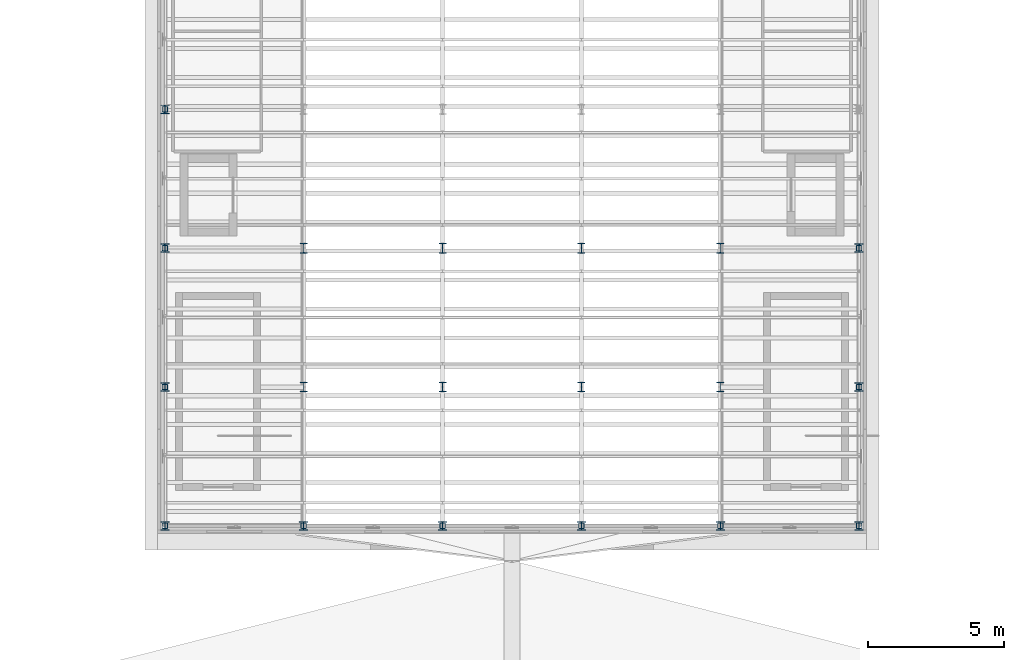
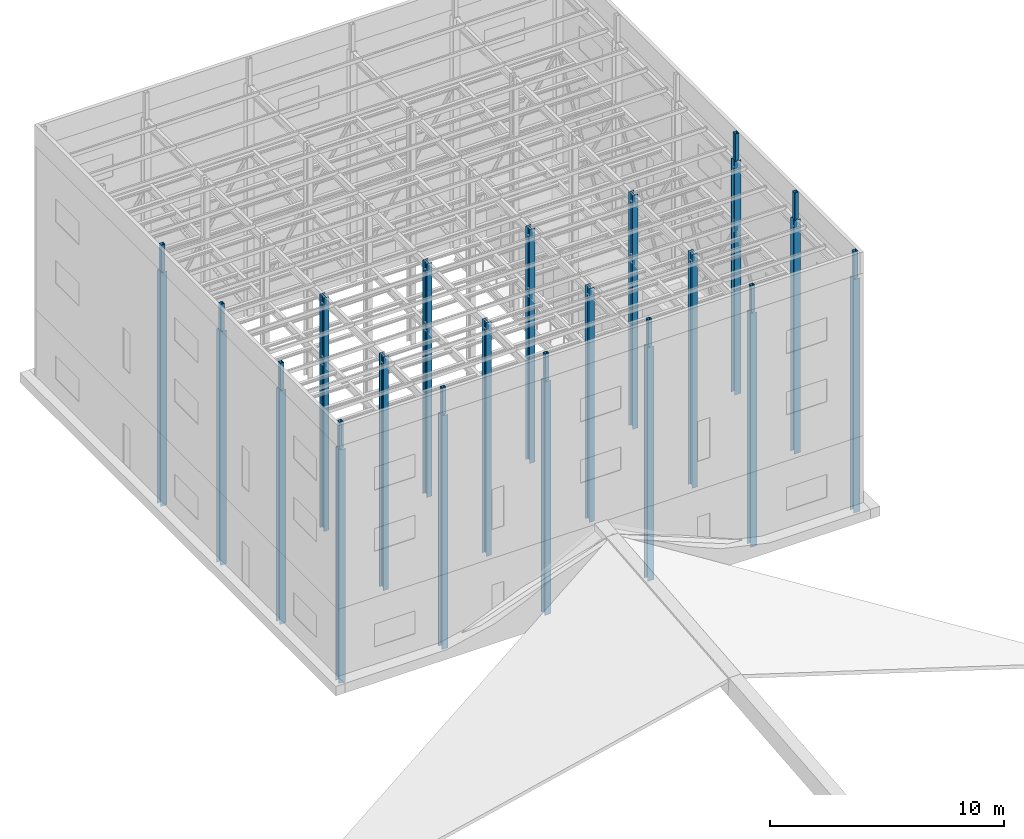
# One storey, part 1 of 22: 30 columns.
"""IFC4 building model written with IfcOpenShell, lengths in metres."""

from ifc_helpers import new_model, si_unit, direction, frame, origin, origin_2d, place, context, subcontext, project, spatial, hollow_rectangle, i_section, extrude, material, material_profile, profile_set, type_object, element, save


model = new_model("IFC4")

# Units and contexts
model_context = context("Model", 3, precision=1e-05, world=origin(), true_north=direction((0.0, 1.0)))
body_context = subcontext(model_context, "Body", "Model", "MODEL_VIEW")
ifc_project = project(units=[si_unit("LENGTHUNIT", "METRE"), si_unit("AREAUNIT", "SQUARE_METRE"), si_unit("VOLUMEUNIT", "CUBIC_METRE"), si_unit("PLANEANGLEUNIT", "RADIAN"), si_unit("MASSUNIT", "GRAM", prefix="KILO")], contexts=[model_context])

# Site, building, storey
site_placement = place(None, origin())
site = spatial("IfcSite", under=ifc_project, at=site_placement, CompositionType="ELEMENT")
building_placement = place(site_placement, origin())
building = spatial("IfcBuilding", under=site, at=building_placement, Name="Tide Square Theatres", CompositionType="ELEMENT")
storey_placement = place(building_placement, frame((0.0, 0.0, 24.0)))
storey = spatial("IfcBuildingStorey", under=building, at=storey_placement, Name="L05", CompositionType="ELEMENT", Elevation=24.0)

# Columns
ifc_material_1 = material(Name="Steel ASTM A572 Grade 50", Category="steel")
ifc_material_profile_1 = material_profile(ifc_material_1, i_section(OverallWidth=0.31201171875, OverallDepth=0.31201171875, WebThickness=0.017333984375, FlangeThickness=0.017333984375, FilletRadius=0.01611328125, at=origin_2d()))
ifc_profile_set_1 = profile_set([ifc_material_profile_1], Name="Steel ASTM A572 Grade 50")
column_type_1 = type_object("IfcColumnType", Name="Steel column HP 310 x 125.0", PredefinedType="COLUMN", material=ifc_profile_set_1)
for number, where, z_axis, x_axis, name in (
    (1, (71.27587890625, 56.27587890625, 0.0), (0.0, 0.0, 1.0), (1.0, 0.0, 0.0), "Fly tower column"),
    (2, (71.27587890625, 61.365478515625, 0.0), (0.0, 0.0, 1.0), (1.0, 0.0, 0.0), "Fly tower column"),
    (3, (71.27587890625, 66.455078125, 0.0), (0.0, 0.0, 1.0), (1.0, 0.0, 0.0), "Fly tower column"),
    (4, (71.27587890625, 71.544921875, 0.0), (0.0, 0.0, 1.0), (1.0, 0.0, 0.0), "Fly tower column"),
    (5, (76.365478515625, 56.27587890625, 0.0), (0.0, 0.0, 1.0), (1.0, 0.0, 0.0), "Fly tower column"),
    (6, (81.455078125, 56.27587890625, 0.0), (0.0, 0.0, 1.0), (1.0, 0.0, 0.0), "Fly tower column"),
    (7, (86.544921875, 56.27587890625, 0.0), (0.0, 0.0, 1.0), (1.0, 0.0, 0.0), "Fly tower column"),
    (8, (91.634521484375, 56.27587890625, 0.0), (0.0, 0.0, 1.0), (1.0, 0.0, 0.0), "Fly tower column"),
    (9, (96.72412109375, 56.27587890625, 0.0), (0.0, 0.0, 1.0), (1.0, 0.0, 0.0), "Fly tower column"),
    (10, (96.72412109375, 61.365478515625, 0.0), (0.0, 0.0, 1.0), (1.0, 0.0, 0.0), "Fly tower column"),
    (11, (96.72412109375, 66.455078125, 0.0), (0.0, 0.0, 1.0), (1.0, 0.0, 0.0), "Fly tower column"),
):
    element("IfcColumn", number, at=place(storey_placement, frame(where, z_axis=z_axis, x_axis=x_axis)), inside=storey, type_object=column_type_1, Name=name, PredefinedType="COLUMN", context=body_context, shape_type="SweptSolid", body=[
        extrude(i_section(OverallWidth=0.31201171875, OverallDepth=0.31201171875, WebThickness=0.017333984375, FlangeThickness=0.017333984375, FilletRadius=0.01611328125, at=origin_2d()), origin(), (0.0, 0.0, 1.0), 12.2099609375),
    ])
ifc_material_2 = material(Name="Steel ASTM A500 Grade C", Category="steel")
ifc_material_profile_2 = material_profile(ifc_material_2, hollow_rectangle(XDim=0.199951171875, YDim=0.199951171875, WallThickness=0.010009765625, InnerFilletRadius=0.010009765625, OuterFilletRadius=0.02001953125, at=origin_2d()))
ifc_profile_set_2 = profile_set([ifc_material_profile_2], Name="Steel ASTM A500 Grade C")
column_type_2 = type_object("IfcColumnType", Name="Steel column RHS 200 x 200 x 10.0", PredefinedType="COLUMN", material=ifc_profile_set_2)
for number, where, z_axis, x_axis, name in (
    (12, (71.280029296875, 56.280029296875, 12.2099609375), (0.0, 0.0, 1.0), (1.0, 0.0, 0.0), "Fly tower parapet post"),
    (13, (71.280029296875, 61.365478515625, 12.2099609375), (0.0, 0.0, 1.0), (1.0, 0.0, 0.0), "Fly tower parapet post"),
    (14, (71.280029296875, 66.455078125, 12.2099609375), (0.0, 0.0, 1.0), (1.0, 0.0, 0.0), "Fly tower parapet post"),
    (15, (71.280029296875, 71.544921875, 12.2099609375), (0.0, 0.0, 1.0), (1.0, 0.0, 0.0), "Fly tower parapet post"),
    (16, (76.365478515625, 56.280029296875, 12.2099609375), (0.0, 0.0, 1.0), (1.0, 0.0, 0.0), "Fly tower parapet post"),
    (17, (81.455078125, 56.280029296875, 12.2099609375), (0.0, 0.0, 1.0), (1.0, 0.0, 0.0), "Fly tower parapet post"),
    (18, (86.544921875, 56.280029296875, 12.2099609375), (0.0, 0.0, 1.0), (1.0, 0.0, 0.0), "Fly tower parapet post"),
    (19, (91.634521484375, 56.280029296875, 12.2099609375), (0.0, 0.0, 1.0), (1.0, 0.0, 0.0), "Fly tower parapet post"),
    (20, (96.719970703125, 56.280029296875, 12.2099609375), (0.0, 0.0, 1.0), (1.0, 0.0, 0.0), "Fly tower parapet post"),
    (21, (96.719970703125, 61.365478515625, 12.2099609375), (0.0, 0.0, 1.0), (1.0, 0.0, 0.0), "Fly tower parapet post"),
    (22, (96.719970703125, 66.455078125, 12.2099609375), (0.0, 0.0, 1.0), (1.0, 0.0, 0.0), "Fly tower parapet post"),
):
    element("IfcColumn", number, at=place(storey_placement, frame(where, z_axis=z_axis, x_axis=x_axis)), inside=storey, type_object=column_type_2, Name=name, PredefinedType="COLUMN", context=body_context, shape_type="SweptSolid", body=[
        extrude(hollow_rectangle(XDim=0.199951171875, YDim=0.199951171875, WallThickness=0.010009765625, InnerFilletRadius=0.010009765625, OuterFilletRadius=0.02001953125, at=origin_2d()), origin(), (0.0, 0.0, 1.0), 1.39013671875),
    ])
ifc_material_3 = material(Name="Steel ASTM A572 Grade 50", Category="steel")
ifc_material_profile_3 = material_profile(ifc_material_3, i_section(OverallWidth=0.257080078125, OverallDepth=0.363037109375, WebThickness=0.012939453125, FlangeThickness=0.021728515625, FilletRadius=0.01611328125, at=origin_2d()))
ifc_profile_set_3 = profile_set([ifc_material_profile_3], Name="Steel ASTM A572 Grade 50")
column_type_3 = type_object("IfcColumnType", Name="Steel column W 360 x 122.0", PredefinedType="COLUMN", material=ifc_profile_set_3)
for number, where, z_axis, x_axis, name in (
    (23, (76.365478515625, 61.365478515625, 0.0), (0.0, 0.0, 1.0), (1.0, 0.0, 0.0), "Fly tower column"),
    (24, (76.365478515625, 66.455078125, 0.0), (0.0, 0.0, 1.0), (1.0, 0.0, 0.0), "Fly tower column"),
    (25, (81.455078125, 61.365478515625, 0.0), (0.0, 0.0, 1.0), (1.0, 0.0, 0.0), "Fly tower column"),
    (26, (81.455078125, 66.455078125, 0.0), (0.0, 0.0, 1.0), (1.0, 0.0, 0.0), "Fly tower column"),
    (27, (86.544921875, 61.365478515625, 0.0), (0.0, 0.0, 1.0), (1.0, 0.0, 0.0), "Fly tower column"),
    (28, (86.544921875, 66.455078125, 0.0), (0.0, 0.0, 1.0), (1.0, 0.0, 0.0), "Fly tower column"),
    (29, (91.634521484375, 61.365478515625, 0.0), (0.0, 0.0, 1.0), (1.0, 0.0, 0.0), "Fly tower column"),
    (30, (91.634521484375, 66.455078125, 0.0), (0.0, 0.0, 1.0), (1.0, 0.0, 0.0), "Fly tower column"),
):
    element("IfcColumn", number, at=place(storey_placement, frame(where, z_axis=z_axis, x_axis=x_axis)), inside=storey, type_object=column_type_3, Name=name, PredefinedType="COLUMN", context=body_context, shape_type="SweptSolid", body=[
        extrude(i_section(OverallWidth=0.257080078125, OverallDepth=0.363037109375, WebThickness=0.012939453125, FlangeThickness=0.021728515625, FilletRadius=0.01611328125, at=origin_2d()), origin(), (0.0, 0.0, 1.0), 12.2099609375),
    ])

save(model, "model.ifc")
